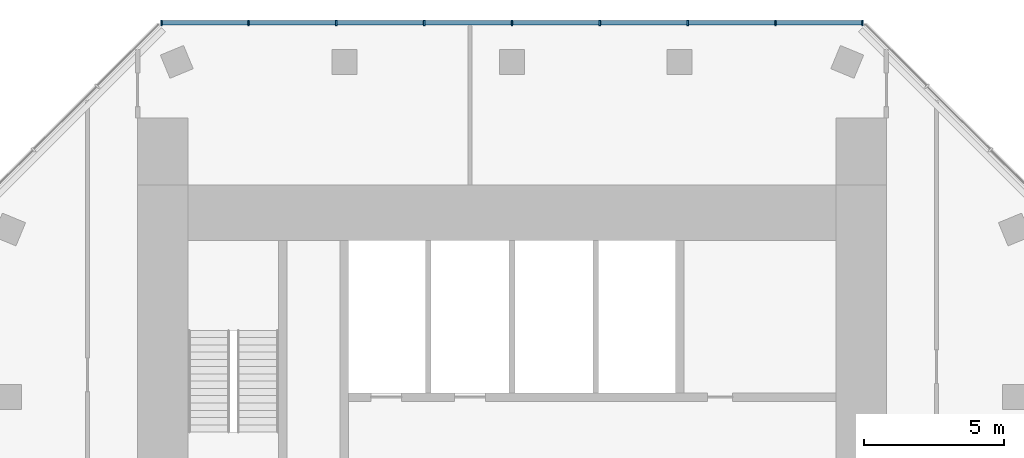
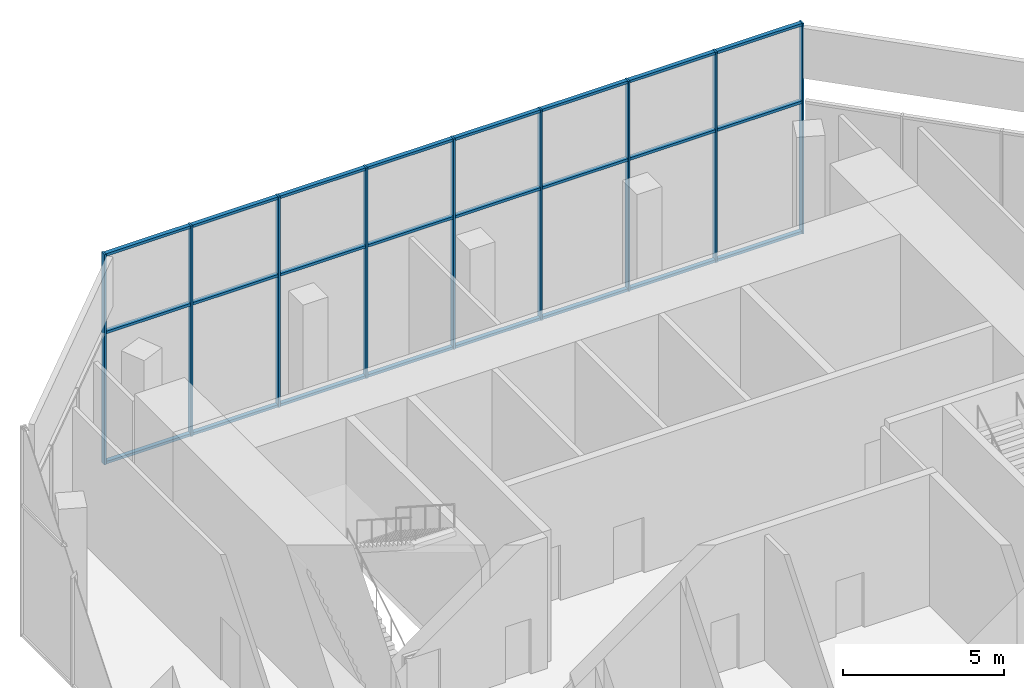
# One storey, part 5 of 9: 33 members, 1 element without a shape of its own.
"""IFC4 building model written with IfcOpenShell, lengths in metres."""

from ifc_helpers import new_model, si_unit, direction, frame, origin, origin_2d, place, context, subcontext, project, spatial, rectangle, extrude, material, layer, layer_set, material_profile, profile_set, type_object, element, aggregate, save


model = new_model("IFC4")

# Units and contexts
model_context = context("Model", 3, precision=1e-05, world=origin(), true_north=direction((0.0, 1.0)))
body_context = subcontext(model_context, "Body", "Model", "MODEL_VIEW")
ifc_project = project(units=[si_unit("LENGTHUNIT", "METRE"), si_unit("AREAUNIT", "SQUARE_METRE"), si_unit("VOLUMEUNIT", "CUBIC_METRE"), si_unit("PLANEANGLEUNIT", "RADIAN"), si_unit("MASSUNIT", "GRAM", prefix="KILO")], contexts=[model_context])

# Site, building, storey
site_placement = place(None, origin())
site = spatial("IfcSite", under=ifc_project, at=site_placement, CompositionType="ELEMENT")
building_placement = place(site_placement, origin())
building = spatial("IfcBuilding", under=site, at=building_placement, Name="Highveld Stack Headquarters", CompositionType="ELEMENT")
storey_placement = place(building_placement, frame((0.0, 0.0, 300.699951171875)))
storey = spatial("IfcBuildingStorey", under=building, at=storey_placement, Name="L74", CompositionType="ELEMENT", Elevation=300.699951171875)

# Curtain wall, members
ifc_material_1 = material(Name="Aluminium bronze anodised", Category="aluminium")
ifc_layer = layer(ifc_material_1, 0.199951171875)
ifc_layer_set = layer_set([ifc_layer], Name="Aluminium bronze anodised")
curtain_wall_type = type_object("IfcCurtainWallType", Name="CW4 LANTERN CURTAIN WALL", PredefinedType="NOTDEFINED", material=ifc_layer_set)
curtain_wall_placement = place(storey_placement, origin())
curtain_wall = element("IfcCurtainWall", 1, at=curtain_wall_placement, inside=storey, type_object=curtain_wall_type, Name="Curtain wall CW4 L74 N", PredefinedType="NOTDEFINED")
ifc_material_2 = material(Name="Aluminium bronze anodised", Category="aluminium")
ifc_material_profile_1 = material_profile(ifc_material_2, rectangle(XDim=0.199951171875, YDim=0.06494140625, at=origin_2d()), Name="CW4 MULLION 65x200")
ifc_profile_set_1 = profile_set([ifc_material_profile_1], Name="Aluminium bronze anodised")
member_type_1 = type_object("IfcMemberType", Name="CW4 MULLION 65x200", PredefinedType="MULLION", material=ifc_profile_set_1)
member_1_placement = place(storey_placement, frame((18.54736328125, 19.39990234375, 0.0), z_axis=(0.0, 0.0, 1.0), x_axis=(0.0, -1.0, 0.0)))
member_1 = element("IfcMember", 2, at=member_1_placement, type_object=member_type_1, Name="CW4 mullion L74 1", PredefinedType="MULLION", context=body_context, shape_type="SweptSolid", body=[
    extrude(rectangle(XDim=0.199951171875, YDim=0.06494140625, at=origin_2d()), origin(), (0.0, 0.0, 1.0), 8.0),
])
member_2_placement = place(storey_placement, frame((15.434814453125, 19.39990234375, 0.0), z_axis=(0.0, 0.0, 1.0), x_axis=(0.0, -1.0, 0.0)))
member_2 = element("IfcMember", 3, at=member_2_placement, type_object=member_type_1, Name="CW4 mullion L74 2", PredefinedType="MULLION", context=body_context, shape_type="SweptSolid", body=[
    extrude(rectangle(XDim=0.199951171875, YDim=0.06494140625, at=origin_2d()), origin(), (0.0, 0.0, 1.0), 8.0),
])
member_3_placement = place(storey_placement, frame((12.289794921875, 19.39990234375, 0.0), z_axis=(0.0, 0.0, 1.0), x_axis=(0.0, -1.0, 0.0)))
member_3 = element("IfcMember", 4, at=member_3_placement, type_object=member_type_1, Name="CW4 mullion L74 3", PredefinedType="MULLION", context=body_context, shape_type="SweptSolid", body=[
    extrude(rectangle(XDim=0.199951171875, YDim=0.06494140625, at=origin_2d()), origin(), (0.0, 0.0, 1.0), 8.0),
])
member_4_placement = place(storey_placement, frame((9.14501953125, 19.39990234375, 0.0), z_axis=(0.0, 0.0, 1.0), x_axis=(0.0, -1.0, 0.0)))
member_4 = element("IfcMember", 5, at=member_4_placement, type_object=member_type_1, Name="CW4 mullion L74 4", PredefinedType="MULLION", context=body_context, shape_type="SweptSolid", body=[
    extrude(rectangle(XDim=0.199951171875, YDim=0.06494140625, at=origin_2d()), origin(), (0.0, 0.0, 1.0), 8.0),
])
member_5_placement = place(storey_placement, frame((6.0, 19.39990234375, 0.0), z_axis=(0.0, 0.0, 1.0), x_axis=(0.0, -1.0, 0.0)))
member_5 = element("IfcMember", 6, at=member_5_placement, type_object=member_type_1, Name="CW4 mullion L74 5", PredefinedType="MULLION", context=body_context, shape_type="SweptSolid", body=[
    extrude(rectangle(XDim=0.199951171875, YDim=0.06494140625, at=origin_2d()), origin(), (0.0, 0.0, 1.0), 8.0),
])
member_6_placement = place(storey_placement, frame((2.85498046875, 19.39990234375, 0.0), z_axis=(0.0, 0.0, 1.0), x_axis=(0.0, -1.0, 0.0)))
member_6 = element("IfcMember", 7, at=member_6_placement, type_object=member_type_1, Name="CW4 mullion L74 6", PredefinedType="MULLION", context=body_context, shape_type="SweptSolid", body=[
    extrude(rectangle(XDim=0.199951171875, YDim=0.06494140625, at=origin_2d()), origin(), (0.0, 0.0, 1.0), 8.0),
])
member_7_placement = place(storey_placement, frame((-0.2900390625, 19.39990234375, 0.0), z_axis=(0.0, 0.0, 1.0), x_axis=(0.0, -1.0, 0.0)))
member_7 = element("IfcMember", 8, at=member_7_placement, type_object=member_type_1, Name="CW4 mullion L74 7", PredefinedType="MULLION", context=body_context, shape_type="SweptSolid", body=[
    extrude(rectangle(XDim=0.199951171875, YDim=0.06494140625, at=origin_2d()), origin(), (0.0, 0.0, 1.0), 8.0),
])
member_8_placement = place(storey_placement, frame((-3.434814453125, 19.39990234375, 0.0), z_axis=(0.0, 0.0, 1.0), x_axis=(0.0, -1.0, 0.0)))
member_8 = element("IfcMember", 9, at=member_8_placement, type_object=member_type_1, Name="CW4 mullion L74 8", PredefinedType="MULLION", context=body_context, shape_type="SweptSolid", body=[
    extrude(rectangle(XDim=0.199951171875, YDim=0.06494140625, at=origin_2d()), origin(), (0.0, 0.0, 1.0), 8.0),
])
member_9_placement = place(storey_placement, frame((-6.54736328125, 19.39990234375, 0.0), z_axis=(0.0, 0.0, 1.0), x_axis=(0.0, -1.0, 0.0)))
member_9 = element("IfcMember", 10, at=member_9_placement, type_object=member_type_1, Name="CW4 mullion L74 9", PredefinedType="MULLION", context=body_context, shape_type="SweptSolid", body=[
    extrude(rectangle(XDim=0.199951171875, YDim=0.06494140625, at=origin_2d()), origin(), (0.0, 0.0, 1.0), 8.0),
])
ifc_material_3 = material(Name="Aluminium bronze anodised", Category="aluminium")
ifc_material_profile_2 = material_profile(ifc_material_3, rectangle(XDim=0.14990234375, YDim=0.10009765625, at=origin_2d()), Name="CW4 TRANSOM 150x100")
ifc_profile_set_2 = profile_set([ifc_material_profile_2], Name="Aluminium bronze anodised")
member_type_2 = type_object("IfcMemberType", Name="CW4 STACK TRANSOM 150x100", PredefinedType="USERDEFINED", material=ifc_profile_set_2)
member_10_placement = place(storey_placement, frame((18.514892578125, 19.39990234375, 0.050048828125), z_axis=(-1.0, 0.0, 0.0), x_axis=(0.0, -1.0, 0.0)))
member_10 = element("IfcMember", 11, at=member_10_placement, type_object=member_type_2, Name="CW4 transom L74 1.1", ObjectType="TRANSOM", PredefinedType="USERDEFINED", context=body_context, shape_type="SweptSolid", body=[
    extrude(rectangle(XDim=0.14990234375, YDim=0.10009765625, at=origin_2d()), origin(), (0.0, 0.0, 1.0), 3.047607421875),
])
member_11_placement = place(storey_placement, frame((18.514892578125, 19.39990234375, 5.0), z_axis=(-1.0, 0.0, 0.0), x_axis=(0.0, -1.0, 0.0)))
member_11 = element("IfcMember", 12, at=member_11_placement, type_object=member_type_2, Name="CW4 transom L74 1.2", ObjectType="TRANSOM", PredefinedType="USERDEFINED", context=body_context, shape_type="SweptSolid", body=[
    extrude(rectangle(XDim=0.14990234375, YDim=0.10009765625, at=origin_2d()), origin(), (0.0, 0.0, 1.0), 3.047607421875),
])
member_12_placement = place(storey_placement, frame((18.514892578125, 19.39990234375, 7.949951171875), z_axis=(-1.0, 0.0, 0.0), x_axis=(0.0, -1.0, 0.0)))
member_12 = element("IfcMember", 13, at=member_12_placement, type_object=member_type_2, Name="CW4 transom L74 1.3", ObjectType="TRANSOM", PredefinedType="USERDEFINED", context=body_context, shape_type="SweptSolid", body=[
    extrude(rectangle(XDim=0.14990234375, YDim=0.10009765625, at=origin_2d()), origin(), (0.0, 0.0, 1.0), 3.047607421875),
])
member_13_placement = place(storey_placement, frame((15.40234375, 19.39990234375, 0.050048828125), z_axis=(-1.0, 0.0, 0.0), x_axis=(0.0, -1.0, 0.0)))
member_13 = element("IfcMember", 14, at=member_13_placement, type_object=member_type_2, Name="CW4 transom L74 2.1", ObjectType="TRANSOM", PredefinedType="USERDEFINED", context=body_context, shape_type="SweptSolid", body=[
    extrude(rectangle(XDim=0.14990234375, YDim=0.10009765625, at=origin_2d()), origin(), (0.0, 0.0, 1.0), 3.079833984375),
])
member_14_placement = place(storey_placement, frame((15.40234375, 19.39990234375, 5.0), z_axis=(-1.0, 0.0, 0.0), x_axis=(0.0, -1.0, 0.0)))
member_14 = element("IfcMember", 15, at=member_14_placement, type_object=member_type_2, Name="CW4 transom L74 2.2", ObjectType="TRANSOM", PredefinedType="USERDEFINED", context=body_context, shape_type="SweptSolid", body=[
    extrude(rectangle(XDim=0.14990234375, YDim=0.10009765625, at=origin_2d()), origin(), (0.0, 0.0, 1.0), 3.079833984375),
])
member_15_placement = place(storey_placement, frame((15.40234375, 19.39990234375, 7.949951171875), z_axis=(-1.0, 0.0, 0.0), x_axis=(0.0, -1.0, 0.0)))
member_15 = element("IfcMember", 16, at=member_15_placement, type_object=member_type_2, Name="CW4 transom L74 2.3", ObjectType="TRANSOM", PredefinedType="USERDEFINED", context=body_context, shape_type="SweptSolid", body=[
    extrude(rectangle(XDim=0.14990234375, YDim=0.10009765625, at=origin_2d()), origin(), (0.0, 0.0, 1.0), 3.079833984375),
])
member_16_placement = place(storey_placement, frame((12.25732421875, 19.39990234375, 0.050048828125), z_axis=(-1.0, 0.0, 0.0), x_axis=(0.0, -1.0, 0.0)))
member_16 = element("IfcMember", 17, at=member_16_placement, type_object=member_type_2, Name="CW4 transom L74 3.1", ObjectType="TRANSOM", PredefinedType="USERDEFINED", context=body_context, shape_type="SweptSolid", body=[
    extrude(rectangle(XDim=0.14990234375, YDim=0.10009765625, at=origin_2d()), origin(), (0.0, 0.0, 1.0), 3.079833984375),
])
member_17_placement = place(storey_placement, frame((12.25732421875, 19.39990234375, 5.0), z_axis=(-1.0, 0.0, 0.0), x_axis=(0.0, -1.0, 0.0)))
member_17 = element("IfcMember", 18, at=member_17_placement, type_object=member_type_2, Name="CW4 transom L74 3.2", ObjectType="TRANSOM", PredefinedType="USERDEFINED", context=body_context, shape_type="SweptSolid", body=[
    extrude(rectangle(XDim=0.14990234375, YDim=0.10009765625, at=origin_2d()), origin(), (0.0, 0.0, 1.0), 3.079833984375),
])
member_18_placement = place(storey_placement, frame((12.25732421875, 19.39990234375, 7.949951171875), z_axis=(-1.0, 0.0, 0.0), x_axis=(0.0, -1.0, 0.0)))
member_18 = element("IfcMember", 19, at=member_18_placement, type_object=member_type_2, Name="CW4 transom L74 3.3", ObjectType="TRANSOM", PredefinedType="USERDEFINED", context=body_context, shape_type="SweptSolid", body=[
    extrude(rectangle(XDim=0.14990234375, YDim=0.10009765625, at=origin_2d()), origin(), (0.0, 0.0, 1.0), 3.079833984375),
])
member_19_placement = place(storey_placement, frame((9.112548828125, 19.39990234375, 0.050048828125), z_axis=(-1.0, 0.0, 0.0), x_axis=(0.0, -1.0, 0.0)))
member_19 = element("IfcMember", 20, at=member_19_placement, type_object=member_type_2, Name="CW4 transom L74 4.1", ObjectType="TRANSOM", PredefinedType="USERDEFINED", context=body_context, shape_type="SweptSolid", body=[
    extrude(rectangle(XDim=0.14990234375, YDim=0.10009765625, at=origin_2d()), origin(), (0.0, 0.0, 1.0), 3.080078125),
])
member_20_placement = place(storey_placement, frame((9.112548828125, 19.39990234375, 5.0), z_axis=(-1.0, 0.0, 0.0), x_axis=(0.0, -1.0, 0.0)))
member_20 = element("IfcMember", 21, at=member_20_placement, type_object=member_type_2, Name="CW4 transom L74 4.2", ObjectType="TRANSOM", PredefinedType="USERDEFINED", context=body_context, shape_type="SweptSolid", body=[
    extrude(rectangle(XDim=0.14990234375, YDim=0.10009765625, at=origin_2d()), origin(), (0.0, 0.0, 1.0), 3.080078125),
])
member_21_placement = place(storey_placement, frame((9.112548828125, 19.39990234375, 7.949951171875), z_axis=(-1.0, 0.0, 0.0), x_axis=(0.0, -1.0, 0.0)))
member_21 = element("IfcMember", 22, at=member_21_placement, type_object=member_type_2, Name="CW4 transom L74 4.3", ObjectType="TRANSOM", PredefinedType="USERDEFINED", context=body_context, shape_type="SweptSolid", body=[
    extrude(rectangle(XDim=0.14990234375, YDim=0.10009765625, at=origin_2d()), origin(), (0.0, 0.0, 1.0), 3.080078125),
])
member_22_placement = place(storey_placement, frame((5.967529296875, 19.39990234375, 0.050048828125), z_axis=(-1.0, 0.0, 0.0), x_axis=(0.0, -1.0, 0.0)))
member_22 = element("IfcMember", 23, at=member_22_placement, type_object=member_type_2, Name="CW4 transom L74 5.1", ObjectType="TRANSOM", PredefinedType="USERDEFINED", context=body_context, shape_type="SweptSolid", body=[
    extrude(rectangle(XDim=0.14990234375, YDim=0.10009765625, at=origin_2d()), origin(), (0.0, 0.0, 1.0), 3.080078125),
])
member_23_placement = place(storey_placement, frame((5.967529296875, 19.39990234375, 5.0), z_axis=(-1.0, 0.0, 0.0), x_axis=(0.0, -1.0, 0.0)))
member_23 = element("IfcMember", 24, at=member_23_placement, type_object=member_type_2, Name="CW4 transom L74 5.2", ObjectType="TRANSOM", PredefinedType="USERDEFINED", context=body_context, shape_type="SweptSolid", body=[
    extrude(rectangle(XDim=0.14990234375, YDim=0.10009765625, at=origin_2d()), origin(), (0.0, 0.0, 1.0), 3.080078125),
])
member_24_placement = place(storey_placement, frame((5.967529296875, 19.39990234375, 7.949951171875), z_axis=(-1.0, 0.0, 0.0), x_axis=(0.0, -1.0, 0.0)))
member_24 = element("IfcMember", 25, at=member_24_placement, type_object=member_type_2, Name="CW4 transom L74 5.3", ObjectType="TRANSOM", PredefinedType="USERDEFINED", context=body_context, shape_type="SweptSolid", body=[
    extrude(rectangle(XDim=0.14990234375, YDim=0.10009765625, at=origin_2d()), origin(), (0.0, 0.0, 1.0), 3.080078125),
])
member_25_placement = place(storey_placement, frame((2.822509765625, 19.39990234375, 0.050048828125), z_axis=(-1.0, 0.0, 0.0), x_axis=(0.0, -1.0, 0.0)))
member_25 = element("IfcMember", 26, at=member_25_placement, type_object=member_type_2, Name="CW4 transom L74 6.1", ObjectType="TRANSOM", PredefinedType="USERDEFINED", context=body_context, shape_type="SweptSolid", body=[
    extrude(rectangle(XDim=0.14990234375, YDim=0.10009765625, at=origin_2d()), origin(), (0.0, 0.0, 1.0), 3.080078125),
])
member_26_placement = place(storey_placement, frame((2.822509765625, 19.39990234375, 5.0), z_axis=(-1.0, 0.0, 0.0), x_axis=(0.0, -1.0, 0.0)))
member_26 = element("IfcMember", 27, at=member_26_placement, type_object=member_type_2, Name="CW4 transom L74 6.2", ObjectType="TRANSOM", PredefinedType="USERDEFINED", context=body_context, shape_type="SweptSolid", body=[
    extrude(rectangle(XDim=0.14990234375, YDim=0.10009765625, at=origin_2d()), origin(), (0.0, 0.0, 1.0), 3.080078125),
])
member_27_placement = place(storey_placement, frame((2.822509765625, 19.39990234375, 7.949951171875), z_axis=(-1.0, 0.0, 0.0), x_axis=(0.0, -1.0, 0.0)))
member_27 = element("IfcMember", 28, at=member_27_placement, type_object=member_type_2, Name="CW4 transom L74 6.3", ObjectType="TRANSOM", PredefinedType="USERDEFINED", context=body_context, shape_type="SweptSolid", body=[
    extrude(rectangle(XDim=0.14990234375, YDim=0.10009765625, at=origin_2d()), origin(), (0.0, 0.0, 1.0), 3.080078125),
])
member_28_placement = place(storey_placement, frame((-0.322509765625, 19.39990234375, 0.050048828125), z_axis=(-1.0, 0.0, 0.0), x_axis=(0.0, -1.0, 0.0)))
member_28 = element("IfcMember", 29, at=member_28_placement, type_object=member_type_2, Name="CW4 transom L74 7.1", ObjectType="TRANSOM", PredefinedType="USERDEFINED", context=body_context, shape_type="SweptSolid", body=[
    extrude(rectangle(XDim=0.14990234375, YDim=0.10009765625, at=origin_2d()), origin(), (0.0, 0.0, 1.0), 3.079833984375),
])
member_29_placement = place(storey_placement, frame((-0.322509765625, 19.39990234375, 5.0), z_axis=(-1.0, 0.0, 0.0), x_axis=(0.0, -1.0, 0.0)))
member_29 = element("IfcMember", 30, at=member_29_placement, type_object=member_type_2, Name="CW4 transom L74 7.2", ObjectType="TRANSOM", PredefinedType="USERDEFINED", context=body_context, shape_type="SweptSolid", body=[
    extrude(rectangle(XDim=0.14990234375, YDim=0.10009765625, at=origin_2d()), origin(), (0.0, 0.0, 1.0), 3.079833984375),
])
member_30_placement = place(storey_placement, frame((-0.322509765625, 19.39990234375, 7.949951171875), z_axis=(-1.0, 0.0, 0.0), x_axis=(0.0, -1.0, 0.0)))
member_30 = element("IfcMember", 31, at=member_30_placement, type_object=member_type_2, Name="CW4 transom L74 7.3", ObjectType="TRANSOM", PredefinedType="USERDEFINED", context=body_context, shape_type="SweptSolid", body=[
    extrude(rectangle(XDim=0.14990234375, YDim=0.10009765625, at=origin_2d()), origin(), (0.0, 0.0, 1.0), 3.079833984375),
])
member_31_placement = place(storey_placement, frame((-3.46728515625, 19.39990234375, 0.050048828125), z_axis=(-1.0, 0.0, 0.0), x_axis=(0.0, -1.0, 0.0)))
member_31 = element("IfcMember", 32, at=member_31_placement, type_object=member_type_2, Name="CW4 transom L74 8.1", ObjectType="TRANSOM", PredefinedType="USERDEFINED", context=body_context, shape_type="SweptSolid", body=[
    extrude(rectangle(XDim=0.14990234375, YDim=0.10009765625, at=origin_2d()), origin(), (0.0, 0.0, 1.0), 3.047607421875),
])
member_32_placement = place(storey_placement, frame((-3.46728515625, 19.39990234375, 5.0), z_axis=(-1.0, 0.0, 0.0), x_axis=(0.0, -1.0, 0.0)))
member_32 = element("IfcMember", 33, at=member_32_placement, type_object=member_type_2, Name="CW4 transom L74 8.2", ObjectType="TRANSOM", PredefinedType="USERDEFINED", context=body_context, shape_type="SweptSolid", body=[
    extrude(rectangle(XDim=0.14990234375, YDim=0.10009765625, at=origin_2d()), origin(), (0.0, 0.0, 1.0), 3.047607421875),
])
member_33_placement = place(storey_placement, frame((-3.46728515625, 19.39990234375, 7.949951171875), z_axis=(-1.0, 0.0, 0.0), x_axis=(0.0, -1.0, 0.0)))
member_33 = element("IfcMember", 34, at=member_33_placement, type_object=member_type_2, Name="CW4 transom L74 8.3", ObjectType="TRANSOM", PredefinedType="USERDEFINED", context=body_context, shape_type="SweptSolid", body=[
    extrude(rectangle(XDim=0.14990234375, YDim=0.10009765625, at=origin_2d()), origin(), (0.0, 0.0, 1.0), 3.047607421875),
])
aggregate(curtain_wall, [member_1, member_2, member_3, member_4, member_5, member_6, member_7, member_8, member_9, member_10, member_11, member_12, member_13, member_14, member_15, member_16, member_17, member_18, member_19, member_20, member_21, member_22, member_23, member_24, member_25, member_26, member_27, member_28, member_29, member_30, member_31, member_32, member_33])

save(model, "model.ifc")
